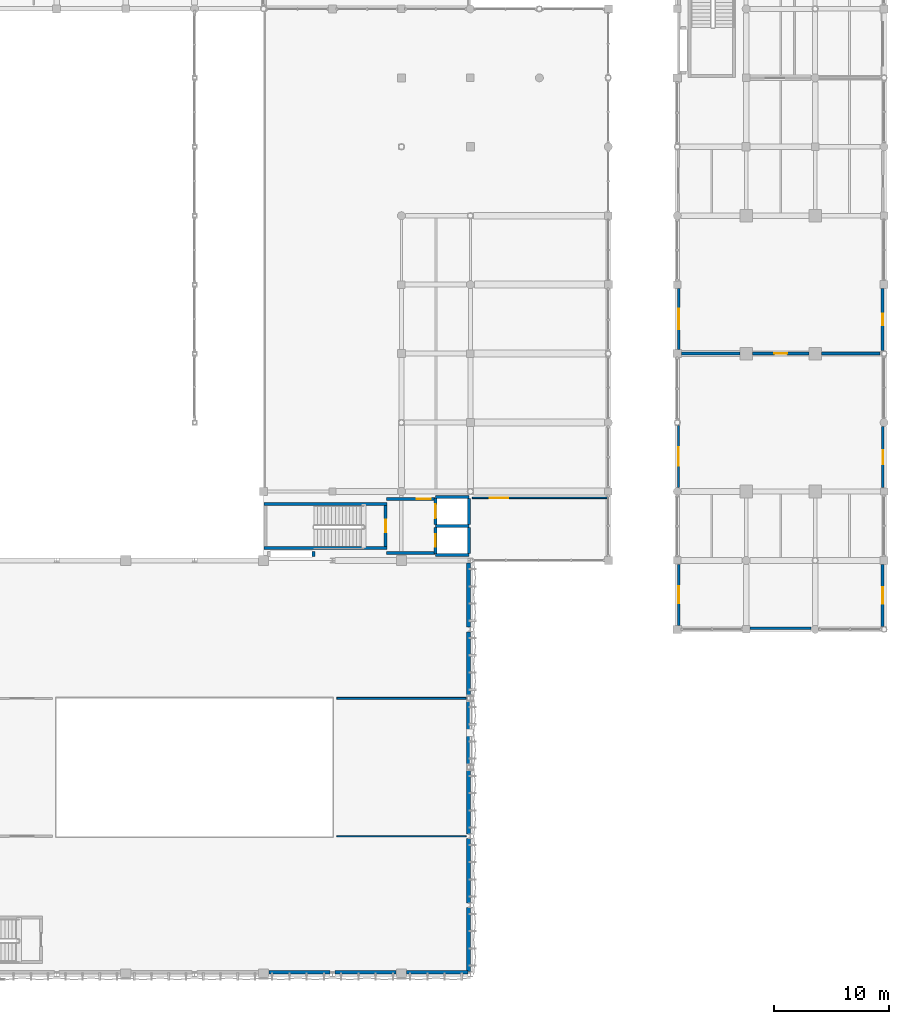
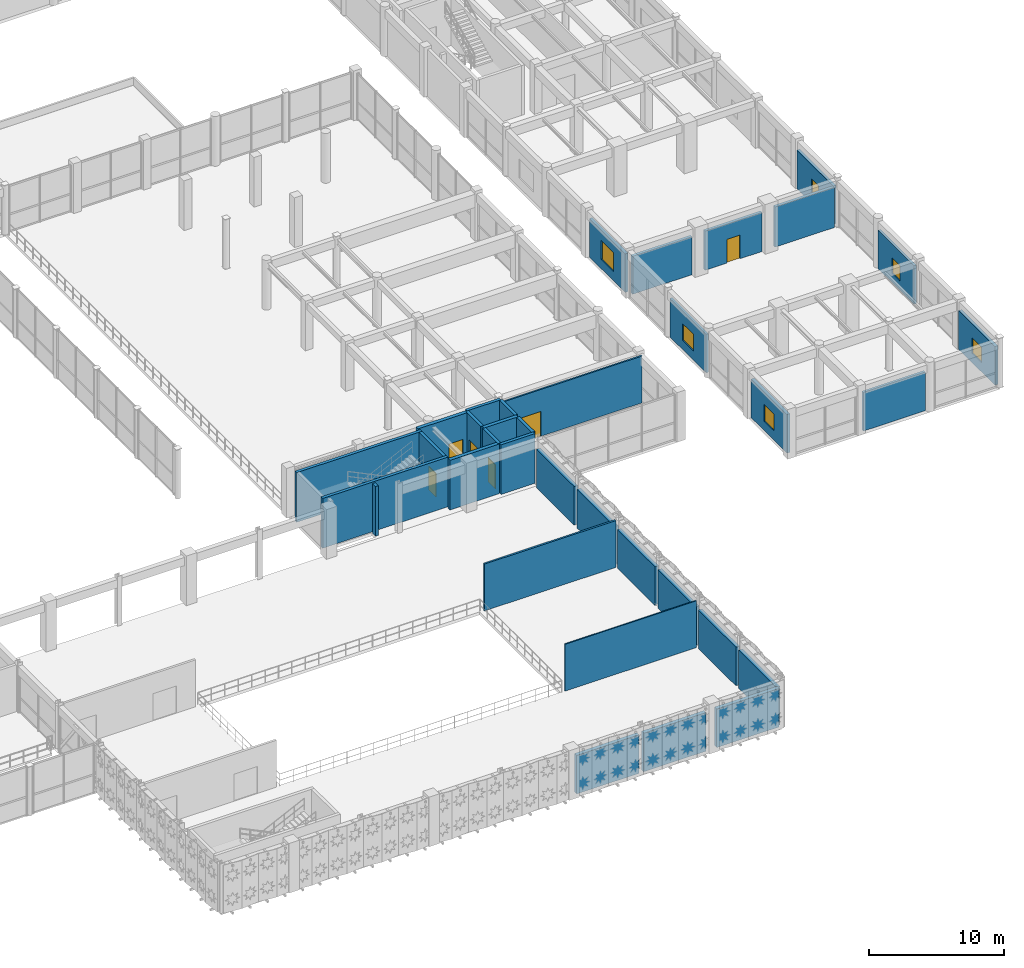
# One storey, part 93 of 116: 35 walls, 6 doors, 6 windows, 12 openings.
"""IFC4 building model written with IfcOpenShell, lengths in metres."""

from ifc_helpers import new_model, si_unit, direction, frame, frame_2d, origin, place, context, subcontext, project, spatial, rectangle, extrude, material, layer, layer_set, type_object, element, fill, save


model = new_model("IFC4")

# Units and contexts
model_context = context("Model", 3, precision=1e-05, world=origin(), true_north=direction((0.0, 1.0)))
body_context = subcontext(model_context, "Body", "Model", "MODEL_VIEW")
ifc_project = project(units=[si_unit("LENGTHUNIT", "METRE"), si_unit("AREAUNIT", "SQUARE_METRE"), si_unit("VOLUMEUNIT", "CUBIC_METRE"), si_unit("PLANEANGLEUNIT", "RADIAN"), si_unit("MASSUNIT", "GRAM", prefix="KILO"), si_unit("THERMODYNAMICTEMPERATUREUNIT", "KELVIN"), si_unit("POWERUNIT", "WATT")], contexts=[model_context])

# Site, building, storey
site_placement = place(None, origin())
site = spatial("IfcSite", under=ifc_project, at=site_placement, CompositionType="ELEMENT")
building_placement = place(site_placement, origin())
building = spatial("IfcBuilding", under=site, at=building_placement, Name="Phaisarnlok Congress Hotel", CompositionType="ELEMENT")
storey_placement = place(building_placement, frame((0.0, 0.0, 10.5)))
storey = spatial("IfcBuildingStorey", under=building, at=storey_placement, Name="L02", CompositionType="ELEMENT", Elevation=10.5)

# Wall, opening, window
ifc_material_1 = material(Name="Concrete C40/50", Category="concrete")
ifc_layer_1 = layer(ifc_material_1, 0.2099609375, Name="Concrete C40/50")
ifc_layer_set_1 = layer_set([ifc_layer_1], Name="Concrete C40/50")
wall_type_1 = type_object("IfcWallType", Name="WL-EXT-210", PredefinedType="SOLIDWALL", material=ifc_layer_set_1)
wall_1_placement = place(storey_placement, frame((162.10498046875, 47.740966796875, 0.0), z_axis=(0.0, 0.0, 1.0), x_axis=(0.0, -1.0, 0.0)))
wall_1 = element("IfcWall", 1, at=wall_1_placement, inside=storey, type_object=wall_type_1, Name="Exterior wall EW-07 (L02)", PredefinedType="SOLIDWALL", context=body_context, shape_type="SweptSolid", body=[
    extrude(rectangle(XDim=5.385986328125, YDim=0.2099609375, at=frame_2d((2.69287109375, 0.0))), origin(), (0.0, 0.0, 1.0), 3.489990234375),
])
opening_1_placement = place(wall_1_placement, frame((1.89306640625, 0.0, 0.85009765625)))
opening_1 = element("IfcOpeningElement", 2, at=opening_1_placement, cuts=wall_1, Name="Opening W-11", PredefinedType="OPENING", context=body_context, shape_type="SweptSolid", body=[
    extrude(rectangle(XDim=1.60009765625, YDim=1.5, at=frame_2d((0.800048828125, 0.75))), frame((0.0, 0.114990234375, 0.0), z_axis=(0.0, -1.0, 0.0), x_axis=(1.0, 0.0, 0.0)), (0.0, 0.0, 1.0), 0.22998046875),
])
ifc_material_2 = material(Name="Thermally Broken Aluminium & Low-E Double Glazing", Category="aluminium")
window_type_1 = type_object("IfcWindowType", Name="WIN-POD-1600", PartitioningType="SINGLE_PANEL", PredefinedType="WINDOW", material=ifc_material_2)
window_1_placement = place(opening_1_placement, origin())
window_1 = element("IfcWindow", 3, at=window_1_placement, inside=storey, type_object=window_type_1, Name="Podium window W-11 (L02)", OverallHeight=1.5, OverallWidth=1.60009765625, PartitioningType="SINGLE_PANEL", PredefinedType="WINDOW", context=body_context, shape_type="SweptSolid", body=[
    extrude(rectangle(XDim=1.60009765625, YDim=1.5, at=frame_2d((0.800048828125, 0.75))), frame((0.0, 0.030029296875, 0.0), z_axis=(0.0, -1.0, 0.0), x_axis=(1.0, 0.0, 0.0)), (0.0, 0.0, 1.0), 0.06005859375),
])
fill(opening_1, window_1)

# Wall
wall_2_placement = place(storey_placement, frame((168.330078125, 30.10498046875, 0.0), z_axis=(0.0, 0.0, 1.0), x_axis=(1.0, 0.0, 0.0)))
element("IfcWall", 4, at=wall_2_placement, inside=storey, type_object=wall_type_1, Name="Exterior wall EW-07 (L02)", PredefinedType="SOLIDWALL", context=body_context, shape_type="SweptSolid", body=[
    extrude(rectangle(XDim=5.31494140625, YDim=0.2099609375, at=frame_2d((2.657470703125, 0.0))), origin(), (0.0, 0.0, 1.0), 3.510009765625),
])

# Wall, opening, window
wall_3_placement = place(storey_placement, frame((179.89501953125, 42.330078125, 0.0), z_axis=(0.0, 0.0, 1.0), x_axis=(0.0, 1.0, 0.0)))
wall_3 = element("IfcWall", 5, at=wall_3_placement, inside=storey, type_object=wall_type_1, Name="Exterior wall EW-07 (L02)", PredefinedType="SOLIDWALL", context=body_context, shape_type="SweptSolid", body=[
    extrude(rectangle(XDim=5.31494140625, YDim=0.2099609375, at=frame_2d((2.657470703125, 0.0))), origin(), (0.0, 0.0, 1.0), 3.489990234375),
])
opening_2_placement = place(wall_3_placement, frame((2.05810546875, 0.0, 0.85009765625)))
opening_2 = element("IfcOpeningElement", 6, at=opening_2_placement, cuts=wall_3, Name="Opening W-14", PredefinedType="OPENING", context=body_context, shape_type="SweptSolid", body=[
    extrude(rectangle(XDim=1.199951171875, YDim=1.39990234375, at=frame_2d((0.60009765625, 0.699951171875))), frame((0.0, 0.114990234375, 0.0), z_axis=(0.0, -1.0, 0.0), x_axis=(1.0, 0.0, 0.0)), (0.0, 0.0, 1.0), 0.22998046875),
])
window_type_2 = type_object("IfcWindowType", Name="WIN-POD-1200", PartitioningType="SINGLE_PANEL", PredefinedType="WINDOW", material=ifc_material_2)
window_2_placement = place(opening_2_placement, origin())
window_2 = element("IfcWindow", 7, at=window_2_placement, inside=storey, type_object=window_type_2, Name="Podium window W-14 (L02)", OverallHeight=1.39990234375, OverallWidth=1.199951171875, PartitioningType="SINGLE_PANEL", PredefinedType="WINDOW", context=body_context, shape_type="SweptSolid", body=[
    extrude(rectangle(XDim=1.199951171875, YDim=1.39990234375, at=frame_2d((0.60009765625, 0.699951171875))), frame((0.0, 0.030029296875, 0.0), z_axis=(0.0, -1.0, 0.0), x_axis=(1.0, 0.0, 0.0)), (0.0, 0.0, 1.0), 0.06005859375),
])
fill(opening_2, window_2)

ifc_layer_2 = layer(ifc_material_1, 0.25, Name="Concrete C40/50")
ifc_layer_set_2 = layer_set([ifc_layer_2], Name="Concrete C40/50")
wall_type_2 = type_object("IfcWallType", Name="WL-EXT-250", PredefinedType="SOLIDWALL", material=ifc_layer_set_2)
wall_4_placement = place(storey_placement, frame((162.125, 59.669921875, 0.0), z_axis=(0.0, 0.0, 1.0), x_axis=(0.0, -1.0, 0.0)))
wall_4 = element("IfcWall", 8, at=wall_4_placement, inside=storey, type_object=wall_type_2, Name="Exterior wall EW-05 (L02)", PredefinedType="SOLIDWALL", context=body_context, shape_type="SweptSolid", body=[
    extrude(rectangle(XDim=5.31494140625, YDim=0.25, at=frame_2d((2.657470703125, 0.0))), origin(), (0.0, 0.0, 1.0), 3.489990234375),
])
opening_3_placement = place(wall_4_placement, frame((1.758056640625, 0.0, 0.85009765625)))
opening_3 = element("IfcOpeningElement", 9, at=opening_3_placement, cuts=wall_4, Name="Opening W-10", PredefinedType="OPENING", context=body_context, shape_type="SweptSolid", body=[
    extrude(rectangle(XDim=1.800048828125, YDim=1.699951171875, at=frame_2d((0.89990234375, 0.85009765625))), frame((0.0, 0.135009765625, 0.0), z_axis=(0.0, -1.0, 0.0), x_axis=(1.0, 0.0, 0.0)), (0.0, 0.0, 1.0), 0.27001953125),
])
window_type_3 = type_object("IfcWindowType", Name="WIN-POD-1800", PartitioningType="SINGLE_PANEL", PredefinedType="WINDOW", material=ifc_material_2)
window_3_placement = place(opening_3_placement, origin())
window_3 = element("IfcWindow", 10, at=window_3_placement, inside=storey, type_object=window_type_3, Name="Podium window W-10 (L02)", OverallHeight=1.699951171875, OverallWidth=1.800048828125, PartitioningType="SINGLE_PANEL", PredefinedType="WINDOW", context=body_context, shape_type="SweptSolid", body=[
    extrude(rectangle(XDim=1.800048828125, YDim=1.699951171875, at=frame_2d((0.89990234375, 0.85009765625))), frame((0.0, 0.030029296875, 0.0), z_axis=(0.0, -1.0, 0.0), x_axis=(1.0, 0.0, 0.0)), (0.0, 0.0, 1.0), 0.06005859375),
])
fill(opening_3, window_3)

wall_5_placement = place(storey_placement, frame((162.125, 35.669921875, 0.0), z_axis=(0.0, 0.0, 1.0), x_axis=(0.0, -1.0, 0.0)))
wall_5 = element("IfcWall", 11, at=wall_5_placement, inside=storey, type_object=wall_type_2, Name="Exterior wall EW-05 (L02)", PredefinedType="SOLIDWALL", context=body_context, shape_type="SweptSolid", body=[
    extrude(rectangle(XDim=5.31494140625, YDim=0.25, at=frame_2d((2.657470703125, 0.0))), origin(), (0.0, 0.0, 1.0), 3.510009765625),
])
opening_4_placement = place(wall_5_placement, frame((1.907958984375, 0.0, 0.85009765625)))
opening_4 = element("IfcOpeningElement", 12, at=opening_4_placement, cuts=wall_5, Name="Opening W-12", PredefinedType="OPENING", context=body_context, shape_type="SweptSolid", body=[
    extrude(rectangle(XDim=1.5, YDim=1.5, at=frame_2d((0.75, 0.75))), frame((0.0, 0.135009765625, 0.0), z_axis=(0.0, -1.0, 0.0), x_axis=(1.0, 0.0, 0.0)), (0.0, 0.0, 1.0), 0.27001953125),
])
window_type_4 = type_object("IfcWindowType", Name="WIN-POD-1500", PartitioningType="SINGLE_PANEL", PredefinedType="WINDOW", material=ifc_material_2)
window_4_placement = place(opening_4_placement, origin())
window_4 = element("IfcWindow", 13, at=window_4_placement, inside=storey, type_object=window_type_4, Name="Podium window W-12 (L02)", OverallHeight=1.5, OverallWidth=1.5, PartitioningType="SINGLE_PANEL", PredefinedType="WINDOW", context=body_context, shape_type="SweptSolid", body=[
    extrude(rectangle(XDim=1.5, YDim=1.5, at=frame_2d((0.75, 0.75))), frame((0.0, 0.030029296875, 0.0), z_axis=(0.0, -1.0, 0.0), x_axis=(1.0, 0.0, 0.0)), (0.0, 0.0, 1.0), 0.06005859375),
])
fill(opening_4, window_4)

wall_6_placement = place(storey_placement, frame((179.875, 30.259033203125, 0.0), z_axis=(0.0, 0.0, 1.0), x_axis=(0.0, 1.0, 0.0)))
wall_6 = element("IfcWall", 14, at=wall_6_placement, inside=storey, type_object=wall_type_2, Name="Exterior wall EW-05 (L02)", PredefinedType="SOLIDWALL", context=body_context, shape_type="SweptSolid", body=[
    extrude(rectangle(XDim=5.385986328125, YDim=0.25, at=frame_2d((2.69287109375, 0.0))), origin(), (0.0, 0.0, 1.0), 3.510009765625),
])
opening_5_placement = place(wall_6_placement, frame((1.992919921875, 0.0, 0.85009765625)))
opening_5 = element("IfcOpeningElement", 15, at=opening_5_placement, cuts=wall_6, Name="Opening W-13", PredefinedType="OPENING", context=body_context, shape_type="SweptSolid", body=[
    extrude(rectangle(XDim=1.39990234375, YDim=1.39990234375, at=frame_2d((0.699951171875, 0.699951171875))), frame((0.0, 0.135009765625, 0.0), z_axis=(0.0, -1.0, 0.0), x_axis=(1.0, 0.0, 0.0)), (0.0, 0.0, 1.0), 0.27001953125),
])
window_type_5 = type_object("IfcWindowType", Name="WIN-POD-1400", PartitioningType="SINGLE_PANEL", PredefinedType="WINDOW", material=ifc_material_2)
window_5_placement = place(opening_5_placement, origin())
window_5 = element("IfcWindow", 16, at=window_5_placement, inside=storey, type_object=window_type_5, Name="Podium window W-13 (L02)", OverallHeight=1.39990234375, OverallWidth=1.39990234375, PartitioningType="SINGLE_PANEL", PredefinedType="WINDOW", context=body_context, shape_type="SweptSolid", body=[
    extrude(rectangle(XDim=1.39990234375, YDim=1.39990234375, at=frame_2d((0.699951171875, 0.699951171875))), frame((0.0, 0.030029296875, 0.0), z_axis=(0.0, -1.0, 0.0), x_axis=(1.0, 0.0, 0.0)), (0.0, 0.0, 1.0), 0.06005859375),
])
fill(opening_5, window_5)

wall_7_placement = place(storey_placement, frame((179.875, 54.259033203125, 0.0), z_axis=(0.0, 0.0, 1.0), x_axis=(0.0, 1.0, 0.0)))
wall_7 = element("IfcWall", 17, at=wall_7_placement, inside=storey, type_object=wall_type_2, Name="Exterior wall EW-05 (L02)", PredefinedType="SOLIDWALL", context=body_context, shape_type="SweptSolid", body=[
    extrude(rectangle(XDim=5.385986328125, YDim=0.25, at=frame_2d((2.69287109375, 0.0))), origin(), (0.0, 0.0, 1.0), 3.489990234375),
])
opening_6_placement = place(wall_7_placement, frame((2.193115234375, 0.0, 0.85009765625)))
opening_6 = element("IfcOpeningElement", 18, at=opening_6_placement, cuts=wall_7, Name="Opening W-15", PredefinedType="OPENING", context=body_context, shape_type="SweptSolid", body=[
    extrude(rectangle(XDim=1.0, YDim=1.35009765625, at=frame_2d((0.5, 0.675048828125))), frame((0.0, 0.135009765625, 0.0), z_axis=(0.0, -1.0, 0.0), x_axis=(1.0, 0.0, 0.0)), (0.0, 0.0, 1.0), 0.27001953125),
])
window_type_6 = type_object("IfcWindowType", Name="WIN-POD-1000", PartitioningType="SINGLE_PANEL", PredefinedType="WINDOW", material=ifc_material_2)
window_6_placement = place(opening_6_placement, origin())
window_6 = element("IfcWindow", 19, at=window_6_placement, inside=storey, type_object=window_type_6, Name="Podium window W-15 (L02)", OverallHeight=1.35009765625, OverallWidth=1.0, PartitioningType="SINGLE_PANEL", PredefinedType="WINDOW", context=body_context, shape_type="SweptSolid", body=[
    extrude(rectangle(XDim=1.0, YDim=1.35009765625, at=frame_2d((0.5, 0.675048828125))), frame((0.0, 0.030029296875, 0.0), z_axis=(0.0, -1.0, 0.0), x_axis=(1.0, 0.0, 0.0)), (0.0, 0.0, 1.0), 0.06005859375),
])
fill(opening_6, window_6)

# Walls
ifc_layer_3 = layer(ifc_material_1, 0.320068359375, Name="Concrete C40/50")
ifc_layer_set_3 = layer_set([ifc_layer_3], Name="Concrete C40/50")
wall_type_3 = type_object("IfcWallType", Name="WL-EXT-320", PredefinedType="SOLIDWALL", material=ifc_layer_set_3)
for number, where, z_axis, x_axis, name in (
    (20, (126.455078125, 0.159912109375, 0.0), (0.0, 0.0, 1.0), (1.0, 0.0, 0.0), "Exterior wall EW-02 (L02)"),
    (21, (132.2080078125, 0.159912109375, 0.0), (0.0, 0.0, 1.0), (1.0, 0.0, 0.0), "Exterior wall EW-02 (L02)"),
    (22, (138.455078125, 0.159912109375, 0.0), (0.0, 0.0, 1.0), (1.0, 0.0, 0.0), "Exterior wall EW-02 (L02)"),
):
    element("IfcWall", number, at=place(storey_placement, frame(where, z_axis=z_axis, x_axis=x_axis)), inside=storey, type_object=wall_type_3, Name=name, PredefinedType="SOLIDWALL", context=body_context, shape_type="SweptSolid", body=[
        extrude(rectangle(XDim=5.3369140625, YDim=0.320068359375, at=frame_2d((2.66845703125, 0.0))), origin(), (0.0, 0.0, 1.0), 3.489990234375),
    ])
for number, where, z_axis, x_axis, name in (
    (23, (143.840087890625, 0.212890625, 0.0), (0.0, 0.0, 1.0), (0.0, 1.0, 0.0), "Exterior wall EW-02 (L02)"),
    (24, (143.840087890625, 6.212890625, 0.0), (0.0, 0.0, 1.0), (0.0, 1.0, 0.0), "Exterior wall EW-02 (L02)"),
    (25, (143.840087890625, 12.212890625, 0.0), (0.0, 0.0, 1.0), (0.0, 1.0, 0.0), "Exterior wall EW-02 (L02)"),
    (26, (143.840087890625, 18.212890625, 0.0), (0.0, 0.0, 1.0), (0.0, 1.0, 0.0), "Exterior wall EW-02 (L02)"),
    (27, (143.840087890625, 24.212890625, 0.0), (0.0, 0.0, 1.0), (0.0, 1.0, 0.0), "Exterior wall EW-02 (L02)"),
    (28, (143.840087890625, 30.212890625, 0.0), (0.0, 0.0, 1.0), (0.0, 1.0, 0.0), "Exterior wall EW-02 (L02)"),
):
    element("IfcWall", number, at=place(storey_placement, frame(where, z_axis=z_axis, x_axis=x_axis)), inside=storey, type_object=wall_type_3, Name=name, PredefinedType="SOLIDWALL", context=body_context, shape_type="SweptSolid", body=[
        extrude(rectangle(XDim=5.57421875, YDim=0.320068359375, at=frame_2d((2.787109375, 0.0))), origin(), (0.0, 0.0, 1.0), 3.489990234375),
    ])
ifc_material_3 = material(Name="Service Riser Shaftwall Partition", Category="gypsum")
ifc_layer_4 = layer(ifc_material_3, 0.10498046875, Name="Service Riser Shaftwall Partition")
ifc_layer_set_4 = layer_set([ifc_layer_4], Name="Service Riser Shaftwall Partition")
wall_type_4 = type_object("IfcWallType", Name="WL-INT-105", PredefinedType="PARTITIONING", material=ifc_layer_set_4)
wall_8_placement = place(storey_placement, frame((132.3701171875, 12.0, 0.0), z_axis=(0.0, 0.0, 1.0), x_axis=(1.0, 0.0, 0.0)))
element("IfcWall", 29, at=wall_8_placement, inside=storey, type_object=wall_type_4, Name="Interior partition wall IW-08 (L02)", PredefinedType="PARTITIONING", context=body_context, shape_type="SweptSolid", body=[
    extrude(rectangle(XDim=11.259765625, YDim=0.10498046875, at=frame_2d((5.6298828125, 0.0))), origin(), (0.0, 0.0, 1.0), 4.239990234375),
])

# Wall, opening, door
ifc_material_4 = material(Name="Moisture-Resistant Gypsum Partition", Category="gypsum")
ifc_layer_5 = layer(ifc_material_4, 0.135009765625, Name="Moisture-Resistant Gypsum Partition")
ifc_layer_set_5 = layer_set([ifc_layer_5], Name="Moisture-Resistant Gypsum Partition")
wall_type_5 = type_object("IfcWallType", Name="WL-INT-135", PredefinedType="PARTITIONING", material=ifc_layer_set_5)
wall_9_placement = place(storey_placement, frame((144.179931640625, 41.449951171875, 0.0), z_axis=(0.0, 0.0, 1.0), x_axis=(1.0, 0.0, 0.0)))
wall_9 = element("IfcWall", 30, at=wall_9_placement, inside=storey, type_object=wall_type_5, Name="Interior partition wall IW-06 (L02)", PredefinedType="PARTITIONING", context=body_context, shape_type="SweptSolid", body=[
    extrude(rectangle(XDim=11.775146484375, YDim=0.135009765625, at=frame_2d((5.8876953125, 0.0))), origin(), (0.0, 0.0, 1.0), 4.239990234375),
])
opening_7_placement = place(wall_9_placement, frame((1.5, 0.0, 0.0)))
opening_7 = element("IfcOpeningElement", 31, at=opening_7_placement, cuts=wall_9, Name="Opening D-0107", PredefinedType="OPENING", context=body_context, shape_type="SweptSolid", body=[
    extrude(rectangle(XDim=1.60009765625, YDim=2.25, at=frame_2d((0.800048828125, 1.125))), frame((0.0, 0.07763671875, 0.0), z_axis=(0.0, -1.0, 0.0), x_axis=(1.0, 0.0, 0.0)), (0.0, 0.0, 1.0), 0.155029296875),
])
ifc_material_5 = material(Name="Frameless Tempered Acoustic Glass", Category="glass")
door_type_1 = type_object("IfcDoorType", Name="DR-GLZ-1600", OperationType="DOUBLE_DOOR_SINGLE_SWING", PredefinedType="DOOR", material=ifc_material_5)
door_1_placement = place(opening_7_placement, origin())
door_1 = element("IfcDoor", 32, at=door_1_placement, inside=storey, type_object=door_type_1, Name="Interior door D-0107 (L02)", OperationType="DOUBLE_DOOR_SINGLE_SWING", OverallHeight=2.25, OverallWidth=1.60009765625, PredefinedType="DOOR", context=body_context, shape_type="SweptSolid", body=[
    extrude(rectangle(XDim=1.60009765625, YDim=2.25, at=frame_2d((0.800048828125, 1.125))), frame((0.0, 0.02490234375, 0.0), z_axis=(0.0, -1.0, 0.0), x_axis=(1.0, 0.0, 0.0)), (0.0, 0.0, 1.0), 0.050048828125),
])
fill(opening_7, door_1)

# Walls
ifc_material_6 = material(Name="Double-Stud Acoustic Gypsum Partition", Category="gypsum")
ifc_layer_6 = layer(ifc_material_6, 0.159912109375, Name="Double-Stud Acoustic Gypsum Partition")
ifc_layer_set_6 = layer_set([ifc_layer_6], Name="Double-Stud Acoustic Gypsum Partition")
wall_type_6 = type_object("IfcWallType", Name="WL-INT-160", PredefinedType="PARTITIONING", material=ifc_layer_set_6)
wall_10_placement = place(storey_placement, frame((132.3701171875, 24.0, 0.0), z_axis=(0.0, 0.0, 1.0), x_axis=(1.0, 0.0, 0.0)))
element("IfcWall", 33, at=wall_10_placement, inside=storey, type_object=wall_type_6, Name="Interior partition wall IW-04 (L02)", PredefinedType="PARTITIONING", context=body_context, shape_type="SweptSolid", body=[
    extrude(rectangle(XDim=11.259765625, YDim=0.159912109375, at=frame_2d((5.6298828125, 0.0))), origin(), (0.0, 0.0, 1.0), 4.239990234375),
])
ifc_layer_7 = layer(ifc_material_1, 0.239990234375, Name="Concrete C40/50")
ifc_layer_set_7 = layer_set([ifc_layer_7], Name="Concrete C40/50")
wall_type_7 = type_object("IfcWallType", Name="WL-INT-240", PredefinedType="PARTITIONING", material=ifc_layer_set_7)
wall_11_placement = place(storey_placement, frame((162.3701171875, 54.0, 0.0), z_axis=(0.0, 0.0, 1.0), x_axis=(1.0, 0.0, 0.0)))
element("IfcWall", 34, at=wall_11_placement, inside=storey, type_object=wall_type_7, Name="Interior partition wall IW-01 (L02)", PredefinedType="PARTITIONING", context=body_context, shape_type="SweptSolid", body=[
    extrude(rectangle(XDim=5.074951171875, YDim=0.239990234375, at=frame_2d((2.53759765625, 0.0))), origin(), (0.0, 0.0, 1.0), 3.43994140625),
])

# Wall, opening, door
wall_12_placement = place(storey_placement, frame((168.554931640625, 54.0, 0.0), z_axis=(0.0, 0.0, 1.0), x_axis=(1.0, 0.0, 0.0)))
wall_12 = element("IfcWall", 35, at=wall_12_placement, inside=storey, type_object=wall_type_7, Name="Interior partition wall IW-01 (L02)", PredefinedType="PARTITIONING", context=body_context, shape_type="SweptSolid", body=[
    extrude(rectangle(XDim=4.89013671875, YDim=0.239990234375, at=frame_2d((2.445068359375, 0.0))), origin(), (0.0, 0.0, 1.0), 3.5400390625),
])
opening_8_placement = place(wall_12_placement, frame((1.89501953125, 0.0, 0.0)))
opening_8 = element("IfcOpeningElement", 36, at=opening_8_placement, cuts=wall_12, Name="Opening D-0097", PredefinedType="OPENING", context=body_context, shape_type="SweptSolid", body=[
    extrude(rectangle(XDim=1.10009765625, YDim=2.14990234375, at=frame_2d((0.550048828125, 1.074951171875))), frame((0.0, 0.1298828125, 0.0), z_axis=(0.0, -1.0, 0.0), x_axis=(1.0, 0.0, 0.0)), (0.0, 0.0, 1.0), 0.260009765625),
])
ifc_material_7 = material(Name="Fire-Rated Steel Frame & Timber Leaf", Category="steel")
door_type_2 = type_object("IfcDoorType", Name="DR-FD60-1100", OperationType="NOTDEFINED", PredefinedType="DOOR", material=ifc_material_7)
door_2_placement = place(opening_8_placement, origin())
door_2 = element("IfcDoor", 37, at=door_2_placement, inside=storey, type_object=door_type_2, Name="Interior door D-0097 (L02)", OperationType="SINGLE_SWING_RIGHT", OverallHeight=2.14990234375, OverallWidth=1.10009765625, PredefinedType="DOOR", context=body_context, shape_type="SweptSolid", body=[
    extrude(rectangle(XDim=1.10009765625, YDim=2.14990234375, at=frame_2d((0.550048828125, 1.074951171875))), frame((0.0, 0.02490234375, 0.0), z_axis=(0.0, -1.0, 0.0), x_axis=(1.0, 0.0, 0.0)), (0.0, 0.0, 1.0), 0.050048828125),
])
fill(opening_8, door_2)

# Walls
wall_13_placement = place(storey_placement, frame((174.554931640625, 54.0, 0.0), z_axis=(0.0, 0.0, 1.0), x_axis=(1.0, 0.0, 0.0)))
element("IfcWall", 38, at=wall_13_placement, inside=storey, type_object=wall_type_7, Name="Interior partition wall IW-01 (L02)", PredefinedType="PARTITIONING", context=body_context, shape_type="SweptSolid", body=[
    extrude(rectangle(XDim=5.074951171875, YDim=0.239990234375, at=frame_2d((2.53759765625, 0.0))), origin(), (0.0, 0.0, 1.0), 3.639892578125),
])
ifc_material_8 = material(Name="Concrete C50/60", Category="concrete")
ifc_layer_8 = layer(ifc_material_8, 0.260009765625, Name="Concrete C50/60")
ifc_layer_set_8 = layer_set([ifc_layer_8], Name="Concrete C50/60")
wall_type_8 = type_object("IfcWallType", Name="WL-SHR-260", PredefinedType="SHEAR", material=ifc_layer_set_8)
for number, where, z_axis, x_axis, name in (
    (39, (126.0400390625, 37.070068359375, 0.0), (0.0, 0.0, 1.0), (1.0, 0.0, 0.0), "Stair shaft shear wall SW-04 (CORE-6 L02)"),
    (40, (126.0400390625, 40.929931640625, 0.0), (0.0, 0.0, 1.0), (1.0, 0.0, 0.0), "Stair shaft shear wall SW-04 (CORE-6 L02)"),
):
    element("IfcWall", number, at=place(storey_placement, frame(where, z_axis=z_axis, x_axis=x_axis)), inside=storey, type_object=wall_type_8, Name=name, PredefinedType="SHEAR", context=body_context, shape_type="SweptSolid", body=[
        extrude(rectangle(XDim=10.719970703125, YDim=0.260009765625, at=frame_2d((5.35986328125, 0.0))), origin(), (0.0, 0.0, 1.0), 4.5),
    ])

# Wall, opening, door
wall_14_placement = place(storey_placement, frame((136.6298828125, 37.199951171875, 0.0), z_axis=(0.0, 0.0, 1.0), x_axis=(0.0, 1.0, 0.0)))
wall_14 = element("IfcWall", 41, at=wall_14_placement, inside=storey, type_object=wall_type_8, Name="Stair shaft shear wall SW-04 (CORE-6 L02)", PredefinedType="SHEAR", context=body_context, shape_type="SweptSolid", body=[
    extrude(rectangle(XDim=3.60009765625, YDim=0.260009765625, at=frame_2d((1.800048828125, 0.0))), origin(), (0.0, 0.0, 1.0), 4.5),
])
opening_9_placement = place(wall_14_placement, frame((1.25, 0.0, 0.0)))
opening_9 = element("IfcOpeningElement", 42, at=opening_9_placement, cuts=wall_14, Name="Opening FD-136", PredefinedType="OPENING", context=body_context, shape_type="SweptSolid", body=[
    extrude(rectangle(XDim=1.10009765625, YDim=2.14990234375, at=frame_2d((0.550048828125, 1.074951171875))), frame((0.0, 0.14013671875, 0.0), z_axis=(0.0, -1.0, 0.0), x_axis=(1.0, 0.0, 0.0)), (0.0, 0.0, 1.0), 0.280029296875),
])
door_3_placement = place(opening_9_placement, origin())
door_3 = element("IfcDoor", 43, at=door_3_placement, inside=storey, type_object=door_type_2, Name="Stair enclosure fire door FD-136 (L02)", OperationType="SINGLE_SWING_LEFT", OverallHeight=2.14990234375, OverallWidth=1.10009765625, PredefinedType="DOOR", context=body_context, shape_type="SweptSolid", body=[
    extrude(rectangle(XDim=1.10009765625, YDim=2.14990234375, at=frame_2d((0.550048828125, 1.074951171875))), frame((0.0, 0.02490234375, 0.0), z_axis=(0.0, -1.0, 0.0), x_axis=(1.0, 0.0, 0.0)), (0.0, 0.0, 1.0), 0.050048828125),
])
fill(opening_9, door_3)

# Walls
wall_15_placement = place(storey_placement, frame((140.969970703125, 36.469970703125, 0.0), z_axis=(0.0, 0.0, 1.0), x_axis=(1.0, 0.0, 0.0)))
element("IfcWall", 44, at=wall_15_placement, inside=storey, type_object=wall_type_8, Name="Lift shaft shear wall SW-04 (LF-CP2 L02)", PredefinedType="SHEAR", context=body_context, shape_type="SweptSolid", body=[
    extrude(rectangle(XDim=2.909912109375, YDim=0.260009765625, at=frame_2d((1.455078125, 0.0))), origin(), (0.0, 0.0, 1.0), 4.5),
])
wall_16_placement = place(storey_placement, frame((143.8798828125, 36.60009765625, 0.0), z_axis=(0.0, 0.0, 1.0), x_axis=(0.0, 1.0, 0.0)))
element("IfcWall", 45, at=wall_16_placement, inside=storey, type_object=wall_type_8, Name="Lift shaft shear wall SW-04 (LF-CP2 L02)", PredefinedType="SHEAR", context=body_context, shape_type="SweptSolid", body=[
    extrude(rectangle(XDim=2.25, YDim=0.260009765625, at=frame_2d((1.125, 0.0))), origin(), (0.0, 0.0, 1.0), 4.5),
])

# Wall, opening, door
wall_17_placement = place(storey_placement, frame((140.969970703125, 36.60009765625, 0.0), z_axis=(0.0, 0.0, 1.0), x_axis=(0.0, 1.0, 0.0)))
wall_17 = element("IfcWall", 46, at=wall_17_placement, inside=storey, type_object=wall_type_8, Name="Lift shaft front wall SW-04 (LF-CP2 L02)", PredefinedType="SHEAR", context=body_context, shape_type="SweptSolid", body=[
    extrude(rectangle(XDim=2.25, YDim=0.260009765625, at=frame_2d((1.125, 0.0))), origin(), (0.0, 0.0, 1.0), 4.5),
])
opening_10_placement = place(wall_17_placement, frame((0.574951171875, 0.0, 0.0)))
opening_10 = element("IfcOpeningElement", 47, at=opening_10_placement, cuts=wall_17, Name="Opening LD-121", PredefinedType="OPENING", context=body_context, shape_type="SweptSolid", body=[
    extrude(rectangle(XDim=1.10009765625, YDim=2.199951171875, at=frame_2d((0.550048828125, 1.10009765625))), frame((0.0, 0.14013671875, 0.0), z_axis=(0.0, -1.0, 0.0), x_axis=(1.0, 0.0, 0.0)), (0.0, 0.0, 1.0), 0.280029296875),
])
ifc_material_9 = material(Name="Brushed Stainless Steel Grade 304", Category="steel")
door_type_3 = type_object("IfcDoorType", Name="DR-LD-1100", OperationType="DOUBLE_DOOR_SLIDING", PredefinedType="DOOR", material=ifc_material_9)
door_4_placement = place(opening_10_placement, origin())
door_4 = element("IfcDoor", 48, at=door_4_placement, inside=storey, type_object=door_type_3, Name="Lift landing sliding door LD-121 (LF-CP2 L02)", OperationType="DOUBLE_DOOR_SLIDING", OverallHeight=2.199951171875, OverallWidth=1.10009765625, PredefinedType="DOOR", context=body_context, shape_type="SweptSolid", body=[
    extrude(rectangle(XDim=1.10009765625, YDim=2.199951171875, at=frame_2d((0.550048828125, 1.10009765625))), frame((0.0, 0.02490234375, 0.0), z_axis=(0.0, -1.0, 0.0), x_axis=(1.0, 0.0, 0.0)), (0.0, 0.0, 1.0), 0.050048828125),
])
fill(opening_10, door_4)

# Walls
wall_18_placement = place(storey_placement, frame((140.969970703125, 41.530029296875, 0.0), z_axis=(0.0, 0.0, 1.0), x_axis=(1.0, 0.0, 0.0)))
element("IfcWall", 49, at=wall_18_placement, inside=storey, type_object=wall_type_8, Name="Lift shaft shear wall SW-04 (LF-SV2 L02)", PredefinedType="SHEAR", context=body_context, shape_type="SweptSolid", body=[
    extrude(rectangle(XDim=2.909912109375, YDim=0.260009765625, at=frame_2d((1.455078125, 0.0))), origin(), (0.0, 0.0, 1.0), 4.5),
])
wall_19_placement = place(storey_placement, frame((143.8798828125, 39.14990234375, 0.0), z_axis=(0.0, 0.0, 1.0), x_axis=(0.0, 1.0, 0.0)))
element("IfcWall", 50, at=wall_19_placement, inside=storey, type_object=wall_type_8, Name="Lift shaft shear wall SW-04 (LF-SV2 L02)", PredefinedType="SHEAR", context=body_context, shape_type="SweptSolid", body=[
    extrude(rectangle(XDim=2.25, YDim=0.260009765625, at=frame_2d((1.125, 0.0))), origin(), (0.0, 0.0, 1.0), 4.5),
])

# Wall, opening, door
wall_20_placement = place(storey_placement, frame((140.969970703125, 39.14990234375, 0.0), z_axis=(0.0, 0.0, 1.0), x_axis=(0.0, 1.0, 0.0)))
wall_20 = element("IfcWall", 51, at=wall_20_placement, inside=storey, type_object=wall_type_8, Name="Lift shaft front wall SW-04 (LF-SV2 L02)", PredefinedType="SHEAR", context=body_context, shape_type="SweptSolid", body=[
    extrude(rectangle(XDim=2.25, YDim=0.260009765625, at=frame_2d((1.125, 0.0))), origin(), (0.0, 0.0, 1.0), 4.5),
])
opening_11_placement = place(wall_20_placement, frame((0.52490234375, 0.0, 0.0)))
opening_11 = element("IfcOpeningElement", 52, at=opening_11_placement, cuts=wall_20, Name="Opening LD-127", PredefinedType="OPENING", context=body_context, shape_type="SweptSolid", body=[
    extrude(rectangle(XDim=1.199951171875, YDim=2.25, at=frame_2d((0.60009765625, 1.125))), frame((0.0, 0.14013671875, 0.0), z_axis=(0.0, -1.0, 0.0), x_axis=(1.0, 0.0, 0.0)), (0.0, 0.0, 1.0), 0.280029296875),
])
door_type_4 = type_object("IfcDoorType", Name="DR-LD-1200", OperationType="DOUBLE_DOOR_SLIDING", PredefinedType="DOOR", material=ifc_material_9)
door_5_placement = place(opening_11_placement, origin())
door_5 = element("IfcDoor", 53, at=door_5_placement, inside=storey, type_object=door_type_4, Name="Lift landing sliding door LD-127 (LF-SV2 L02)", OperationType="DOUBLE_DOOR_SLIDING", OverallHeight=2.25, OverallWidth=1.199951171875, PredefinedType="DOOR", context=body_context, shape_type="SweptSolid", body=[
    extrude(rectangle(XDim=1.199951171875, YDim=2.25, at=frame_2d((0.60009765625, 1.125))), frame((0.0, 0.02490234375, 0.0), z_axis=(0.0, -1.0, 0.0), x_axis=(1.0, 0.0, 0.0)), (0.0, 0.0, 1.0), 0.050048828125),
])
fill(opening_11, door_5)

# Walls
wall_21_placement = place(storey_placement, frame((130.330078125, 36.330078125, 0.0), z_axis=(0.0, 0.0, 1.0), x_axis=(0.0, 1.0, 0.0)))
element("IfcWall", 54, at=wall_21_placement, inside=storey, type_object=wall_type_8, Name="Service riser shaft wall SW-04 (CORE-6 L02)", PredefinedType="SHEAR", context=body_context, shape_type="SweptSolid", body=[
    extrude(rectangle(XDim=0.43994140625, YDim=0.260009765625, at=frame_2d((0.219970703125, 0.0))), origin(), (0.0, 0.0, 1.0), 4.5),
])
ifc_layer_9 = layer(ifc_material_8, 0.300048828125, Name="Concrete C50/60")
ifc_layer_set_9 = layer_set([ifc_layer_9], Name="Concrete C50/60")
wall_type_9 = type_object("IfcWallType", Name="WL-SHR-300", PredefinedType="SHEAR", material=ifc_layer_set_9)
wall_22_placement = place(storey_placement, frame((140.969970703125, 39.0, 0.0), z_axis=(0.0, 0.0, 1.0), x_axis=(1.0, 0.0, 0.0)))
element("IfcWall", 55, at=wall_22_placement, inside=storey, type_object=wall_type_9, Name="Lift shaft divider shear wall SW-03 (LF-CP2 L02)", PredefinedType="SHEAR", context=body_context, shape_type="SweptSolid", body=[
    extrude(rectangle(XDim=2.909912109375, YDim=0.300048828125, at=frame_2d((1.455078125, 0.0))), origin(), (0.0, 0.0, 1.0), 4.5),
])

# Wall, opening, door
wall_23_placement = place(storey_placement, frame((136.679931640625, 41.35009765625, 0.0), z_axis=(0.0, 0.0, 1.0), x_axis=(1.0, 0.0, 0.0)))
wall_23 = element("IfcWall", 56, at=wall_23_placement, inside=storey, type_object=wall_type_9, Name="Core lobby EI-120 wall SW-03 (CORE-6 L02)", PredefinedType="SHEAR", context=body_context, shape_type="SweptSolid", body=[
    extrude(rectangle(XDim=4.239990234375, YDim=0.300048828125, at=frame_2d((2.1201171875, 0.0))), origin(), (0.0, 0.0, 1.0), 4.5),
])
opening_12_placement = place(wall_23_placement, frame((2.64990234375, 0.0, 0.0)))
opening_12 = element("IfcOpeningElement", 57, at=opening_12_placement, cuts=wall_23, Name="Opening FD-142", PredefinedType="OPENING", context=body_context, shape_type="SweptSolid", body=[
    extrude(rectangle(XDim=1.199951171875, YDim=2.199951171875, at=frame_2d((0.60009765625, 1.10009765625))), frame((0.0, 0.16015625, 0.0), z_axis=(0.0, -1.0, 0.0), x_axis=(1.0, 0.0, 0.0)), (0.0, 0.0, 1.0), 0.320068359375),
])
door_type_5 = type_object("IfcDoorType", Name="DR-FD60-1200", OperationType="NOTDEFINED", PredefinedType="DOOR", material=ifc_material_7)
door_6_placement = place(opening_12_placement, origin())
door_6 = element("IfcDoor", 58, at=door_6_placement, inside=storey, type_object=door_type_5, Name="Firefighting lobby entrance door FD-142 (CORE-6 L02)", OperationType="SINGLE_SWING_LEFT", OverallHeight=2.199951171875, OverallWidth=1.199951171875, PredefinedType="DOOR", context=body_context, shape_type="SweptSolid", body=[
    extrude(rectangle(XDim=1.199951171875, YDim=2.199951171875, at=frame_2d((0.60009765625, 1.10009765625))), frame((0.0, 0.02490234375, 0.0), z_axis=(0.0, -1.0, 0.0), x_axis=(1.0, 0.0, 0.0)), (0.0, 0.0, 1.0), 0.050048828125),
])
fill(opening_12, door_6)

# Wall
wall_24_placement = place(storey_placement, frame((136.679931640625, 36.64990234375, 0.0), z_axis=(0.0, 0.0, 1.0), x_axis=(1.0, 0.0, 0.0)))
element("IfcWall", 59, at=wall_24_placement, inside=storey, type_object=wall_type_9, Name="Core lobby EI-120 wall SW-03 (CORE-6 L02)", PredefinedType="SHEAR", context=body_context, shape_type="SweptSolid", body=[
    extrude(rectangle(XDim=4.239990234375, YDim=0.300048828125, at=frame_2d((2.1201171875, 0.0))), origin(), (0.0, 0.0, 1.0), 4.5),
])

save(model, "model.ifc")
